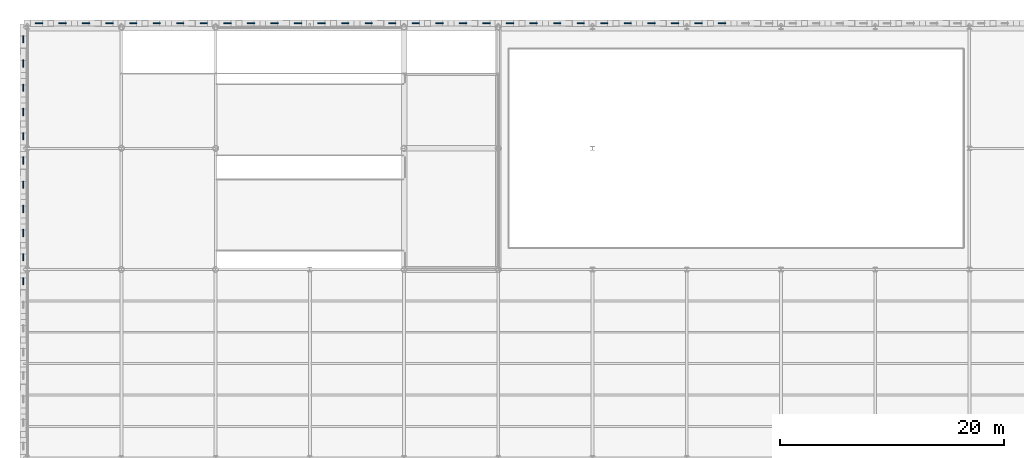
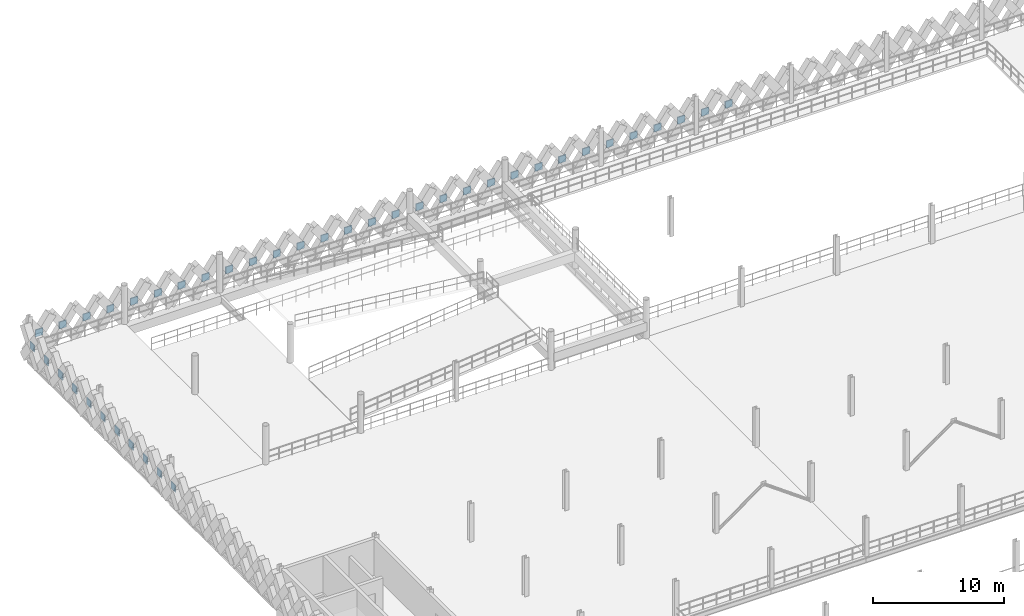
# One storey, part 46 of 62: 41 plates.
"""IFC4 building model written with IfcOpenShell, lengths in metres."""

from ifc_helpers import new_model, si_unit, direction, frame, origin, origin_2d, place, context, subcontext, project, spatial, rectangle, extrude, material, layer, layer_set, type_object, element, save


model = new_model("IFC4")

# Units and contexts
model_context = context("Model", 3, precision=1e-05, world=origin(), true_north=direction((0.0, 1.0)))
body_context = subcontext(model_context, "Body", "Model", "MODEL_VIEW")
ifc_project = project(units=[si_unit("LENGTHUNIT", "METRE"), si_unit("AREAUNIT", "SQUARE_METRE"), si_unit("VOLUMEUNIT", "CUBIC_METRE"), si_unit("PLANEANGLEUNIT", "RADIAN"), si_unit("MASSUNIT", "GRAM", prefix="KILO"), si_unit("THERMODYNAMICTEMPERATUREUNIT", "KELVIN"), si_unit("POWERUNIT", "WATT")], contexts=[model_context])

# Site, building, storey
site_placement = place(None, origin())
site = spatial("IfcSite", under=ifc_project, at=site_placement, CompositionType="ELEMENT")
building_placement = place(site_placement, origin())
building = spatial("IfcBuilding", under=site, at=building_placement, Name="Tembeka Court Mobility Hub", CompositionType="ELEMENT")
storey_placement = place(building_placement, frame((0.0, 0.0, 16.199951171875)))
storey = spatial("IfcBuildingStorey", under=building, at=storey_placement, Name="L04", CompositionType="ELEMENT", Elevation=16.199951171875)

# Plates
ifc_material = material(Name="Precast concrete C45/55", Category="concrete")
ifc_layer = layer(ifc_material, 0.090087890625)
ifc_layer_set = layer_set([ifc_layer], Name="Precast concrete C45/55")
plate_type = type_object("IfcPlateType", Name="PL-PC01", PredefinedType="SHEET", material=ifc_layer_set)
for number, where, z_axis, x_axis, name in (
    (1, (1.050048828125, 119.139892578125, 1.16015625), (0.0, 0.0, 1.0), (1.0, 0.0, 0.0), "Precast diamond lattice node plate PCN01 (L04-633)"),
    (2, (3.14990234375, 119.139892578125, 1.16015625), (0.0, 0.0, 1.0), (1.0, 0.0, 0.0), "Precast diamond lattice node plate PCN01 (L04-634)"),
    (3, (5.25, 119.139892578125, 1.16015625), (0.0, 0.0, 1.0), (1.0, 0.0, 0.0), "Precast diamond lattice node plate PCN01 (L04-635)"),
    (4, (7.35009765625, 119.139892578125, 1.16015625), (0.0, 0.0, 1.0), (1.0, 0.0, 0.0), "Precast diamond lattice node plate PCN01 (L04-636)"),
    (5, (9.449951171875, 119.139892578125, 1.16015625), (0.0, 0.0, 1.0), (1.0, 0.0, 0.0), "Precast diamond lattice node plate PCN01 (L04-637)"),
    (6, (11.550048828125, 119.139892578125, 1.16015625), (0.0, 0.0, 1.0), (1.0, 0.0, 0.0), "Precast diamond lattice node plate PCN01 (L04-638)"),
    (7, (13.64990234375, 119.139892578125, 1.16015625), (0.0, 0.0, 1.0), (1.0, 0.0, 0.0), "Precast diamond lattice node plate PCN01 (L04-639)"),
    (8, (15.75, 119.139892578125, 1.16015625), (0.0, 0.0, 1.0), (1.0, 0.0, 0.0), "Precast diamond lattice node plate PCN01 (L04-640)"),
    (9, (17.85009765625, 119.139892578125, 1.16015625), (0.0, 0.0, 1.0), (1.0, 0.0, 0.0), "Precast diamond lattice node plate PCN01 (L04-641)"),
    (10, (19.949951171875, 119.139892578125, 1.16015625), (0.0, 0.0, 1.0), (1.0, 0.0, 0.0), "Precast diamond lattice node plate PCN01 (L04-642)"),
    (11, (22.050048828125, 119.139892578125, 1.16015625), (0.0, 0.0, 1.0), (1.0, 0.0, 0.0), "Precast diamond lattice node plate PCN01 (L04-643)"),
    (12, (24.14990234375, 119.139892578125, 1.16015625), (0.0, 0.0, 1.0), (1.0, 0.0, 0.0), "Precast diamond lattice node plate PCN01 (L04-644)"),
    (13, (26.25, 119.139892578125, 1.16015625), (0.0, 0.0, 1.0), (1.0, 0.0, 0.0), "Precast diamond lattice node plate PCN01 (L04-645)"),
    (14, (28.35009765625, 119.139892578125, 1.16015625), (0.0, 0.0, 1.0), (1.0, 0.0, 0.0), "Precast diamond lattice node plate PCN01 (L04-646)"),
    (15, (30.449951171875, 119.139892578125, 1.16015625), (0.0, 0.0, 1.0), (1.0, 0.0, 0.0), "Precast diamond lattice node plate PCN01 (L04-647)"),
    (16, (32.550048828125, 119.139892578125, 1.16015625), (0.0, 0.0, 1.0), (1.0, 0.0, 0.0), "Precast diamond lattice node plate PCN01 (L04-648)"),
    (17, (34.64990234375, 119.139892578125, 1.16015625), (0.0, 0.0, 1.0), (1.0, 0.0, 0.0), "Precast diamond lattice node plate PCN01 (L04-649)"),
    (18, (36.75, 119.139892578125, 1.16015625), (0.0, 0.0, 1.0), (1.0, 0.0, 0.0), "Precast diamond lattice node plate PCN01 (L04-650)"),
    (19, (38.85009765625, 119.139892578125, 1.16015625), (0.0, 0.0, 1.0), (1.0, 0.0, 0.0), "Precast diamond lattice node plate PCN01 (L04-651)"),
    (20, (40.949951171875, 119.139892578125, 1.16015625), (0.0, 0.0, 1.0), (1.0, 0.0, 0.0), "Precast diamond lattice node plate PCN01 (L04-652)"),
    (21, (43.050048828125, 119.139892578125, 1.16015625), (0.0, 0.0, 1.0), (1.0, 0.0, 0.0), "Precast diamond lattice node plate PCN01 (L04-653)"),
    (22, (45.14990234375, 119.139892578125, 1.16015625), (0.0, 0.0, 1.0), (1.0, 0.0, 0.0), "Precast diamond lattice node plate PCN01 (L04-654)"),
    (23, (47.25, 119.139892578125, 1.16015625), (0.0, 0.0, 1.0), (1.0, 0.0, 0.0), "Precast diamond lattice node plate PCN01 (L04-655)"),
    (24, (49.35009765625, 119.139892578125, 1.16015625), (0.0, 0.0, 1.0), (1.0, 0.0, 0.0), "Precast diamond lattice node plate PCN01 (L04-656)"),
    (25, (51.449951171875, 119.139892578125, 1.16015625), (0.0, 0.0, 1.0), (1.0, 0.0, 0.0), "Precast diamond lattice node plate PCN01 (L04-657)"),
    (26, (53.550048828125, 119.139892578125, 1.16015625), (0.0, 0.0, 1.0), (1.0, 0.0, 0.0), "Precast diamond lattice node plate PCN01 (L04-658)"),
    (27, (55.64990234375, 119.139892578125, 1.16015625), (0.0, 0.0, 1.0), (1.0, 0.0, 0.0), "Precast diamond lattice node plate PCN01 (L04-659)"),
    (28, (57.75, 119.139892578125, 1.16015625), (0.0, 0.0, 1.0), (1.0, 0.0, 0.0), "Precast diamond lattice node plate PCN01 (L04-660)"),
    (29, (59.85009765625, 119.139892578125, 1.16015625), (0.0, 0.0, 1.0), (1.0, 0.0, 0.0), "Precast diamond lattice node plate PCN01 (L04-661)"),
    (30, (61.949951171875, 119.139892578125, 1.16015625), (0.0, 0.0, 1.0), (1.0, 0.0, 0.0), "Precast diamond lattice node plate PCN01 (L04-662)"),
):
    element("IfcPlate", number, at=place(storey_placement, frame(where, z_axis=z_axis, x_axis=x_axis)), inside=storey, type_object=plate_type, Name=name, PredefinedType="SHEET", context=body_context, shape_type="SweptSolid", body=[
        extrude(rectangle(XDim=0.64990234375, YDim=0.090087890625, at=origin_2d()), origin(), (0.0, 0.0, 1.0), 0.64990234375),
    ])
for number, where, z_axis, x_axis, name in (
    (31, (-0.340087890625, 96.14990234375, 1.16015625), (0.0, 0.0, 1.0), (1.0, 0.0, 0.0), "Precast diamond lattice node plate PCN01 (L04-722)"),
    (32, (-0.340087890625, 98.280029296875, 1.16015625), (0.0, 0.0, 1.0), (1.0, 0.0, 0.0), "Precast diamond lattice node plate PCN01 (L04-723)"),
    (33, (-0.340087890625, 100.43994140625, 1.16015625), (0.0, 0.0, 1.0), (1.0, 0.0, 0.0), "Precast diamond lattice node plate PCN01 (L04-724)"),
    (34, (-0.340087890625, 102.60009765625, 1.16015625), (0.0, 0.0, 1.0), (1.0, 0.0, 0.0), "Precast diamond lattice node plate PCN01 (L04-725)"),
    (35, (-0.340087890625, 104.760009765625, 1.16015625), (0.0, 0.0, 1.0), (1.0, 0.0, 0.0), "Precast diamond lattice node plate PCN01 (L04-726)"),
    (36, (-0.340087890625, 106.919921875, 1.16015625), (0.0, 0.0, 1.0), (1.0, 0.0, 0.0), "Precast diamond lattice node plate PCN01 (L04-727)"),
    (37, (-0.340087890625, 109.080078125, 1.16015625), (0.0, 0.0, 1.0), (1.0, 0.0, 0.0), "Precast diamond lattice node plate PCN01 (L04-728)"),
    (38, (-0.340087890625, 111.239990234375, 1.16015625), (0.0, 0.0, 1.0), (1.0, 0.0, 0.0), "Precast diamond lattice node plate PCN01 (L04-729)"),
    (39, (-0.340087890625, 113.39990234375, 1.16015625), (0.0, 0.0, 1.0), (1.0, 0.0, 0.0), "Precast diamond lattice node plate PCN01 (L04-730)"),
    (40, (-0.340087890625, 115.56005859375, 1.16015625), (0.0, 0.0, 1.0), (1.0, 0.0, 0.0), "Precast diamond lattice node plate PCN01 (L04-731)"),
    (41, (-0.340087890625, 117.719970703125, 1.16015625), (0.0, 0.0, 1.0), (1.0, 0.0, 0.0), "Precast diamond lattice node plate PCN01 (L04-732)"),
):
    element("IfcPlate", number, at=place(storey_placement, frame(where, z_axis=z_axis, x_axis=x_axis)), inside=storey, type_object=plate_type, Name=name, PredefinedType="SHEET", context=body_context, shape_type="SweptSolid", body=[
        extrude(rectangle(XDim=0.090087890625, YDim=0.64990234375, at=origin_2d()), origin(), (0.0, 0.0, 1.0), 0.64990234375),
    ])

save(model, "model.ifc")
